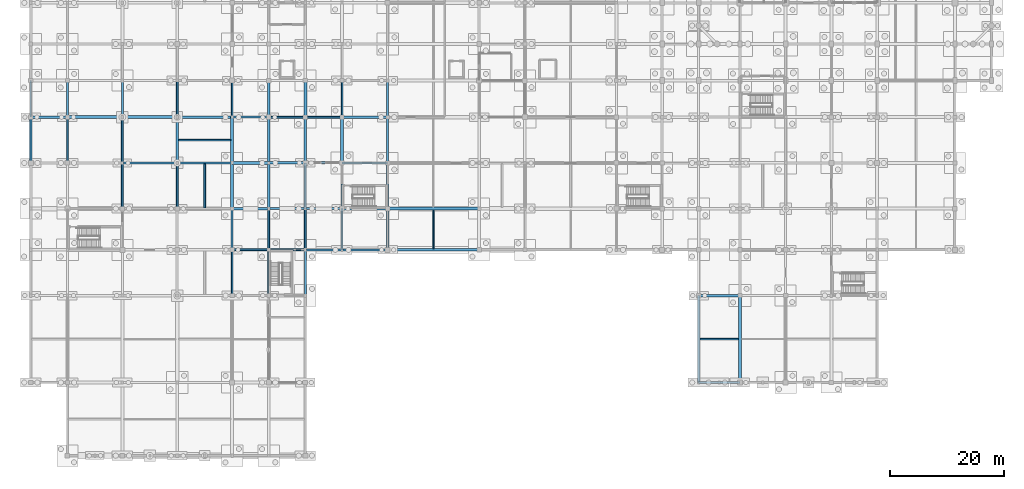
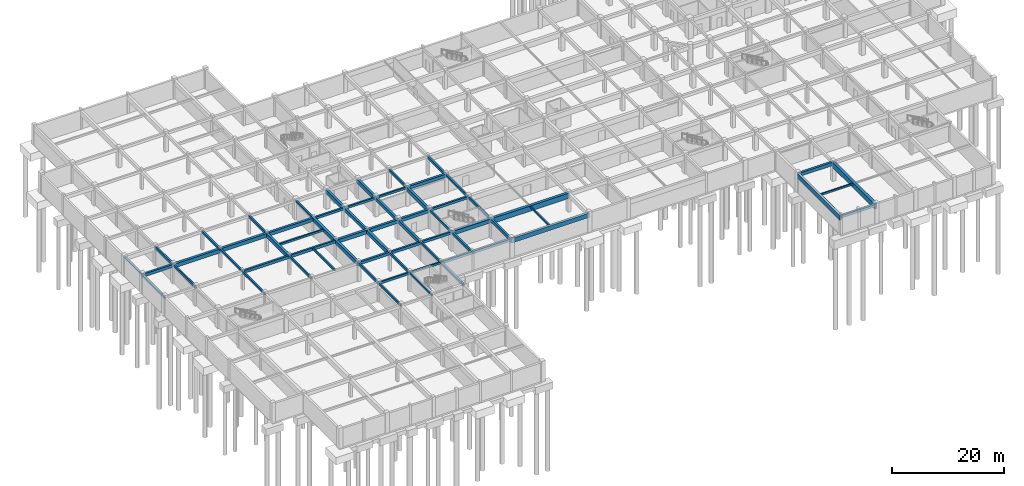
# One storey, part 10 of 28: 65 beams.
"""IFC4 building model written with IfcOpenShell, lengths in metres."""

import ifcopenshell
import ifcopenshell.guid

model = None  # the IFC model being written
_history = None  # IfcOwnerHistory: only IFC2X3 demands one
_inside = {}  # id of a spatial element -> (the spatial element, [elements in it])
_under = {}  # id of a project, library or spatial element -> (it, [spatial elements below it])
_declared = {}  # id of a project -> (the project, [libraries it declares])
_typed = {}  # id of a type object -> (the type object, [elements of that type])
_made_of = {}  # id of a material, layer set ... -> (it, [elements and type objects made of it])


def new_model(schema):
    """Start an empty IFC model of exactly this schema.

    Asked for "IFC4X3", IfcOpenShell would pick the latest addendum, in which some entities
    have other attributes; the version numbers below select the first issue.
    IFC2X3 requires an IfcOwnerHistory on every rooted entity: one is made here for all.
    """
    global model, _history
    if schema == "IFC4X3":
        model = ifcopenshell.file(schema_version=(4, 3, 0, 0))
    else:
        model = ifcopenshell.file(schema=schema)
    _inside.clear()
    _under.clear()
    _declared.clear()
    _typed.clear()
    _made_of.clear()
    _history = None
    if model.schema == "IFC2X3":
        org = make("IfcOrganization", Name="unknown")
        user = make(
            "IfcPersonAndOrganization",
            ThePerson=make("IfcPerson", FamilyName="unknown"),
            TheOrganization=org,
        )
        app = make(
            "IfcApplication",
            ApplicationDeveloper=org,
            Version="unknown",
            ApplicationFullName="unknown",
            ApplicationIdentifier="unknown",
        )
        _history = make(
            "IfcOwnerHistory",
            OwningUser=user,
            OwningApplication=app,
            ChangeAction="ADDED",
            CreationDate=0,
        )
    return model


def make(cls, **values):
    """One entity of the class cls with the attributes given. An attribute that is None is left unset."""
    return model.create_entity(
        cls, **{name: value for name, value in values.items() if value is not None}
    )


def rooted(cls, **values):
    """An entity with a GlobalId (a new one), such as an element, a storey or a relation."""
    return make(cls, GlobalId=ifcopenshell.guid.new(), OwnerHistory=_history, **values)


def si_unit(unit_type, name, prefix=None):
    """IfcSIUnit, for example si_unit("LENGTHUNIT", "METRE", prefix="MILLI")."""
    return make("IfcSIUnit", UnitType=unit_type, Prefix=prefix, Name=name)


def assignment(units):
    """IfcUnitAssignment: the units of a project."""
    return None if units is None else make("IfcUnitAssignment", Units=units)


def point(xyz):
    """IfcCartesianPoint."""
    return None if xyz is None else make("IfcCartesianPoint", Coordinates=xyz)


def direction(xyz):
    """IfcDirection."""
    return None if xyz is None else make("IfcDirection", DirectionRatios=xyz)


def frame(location, z_axis=None, x_axis=None):
    """IfcAxis2Placement3D, a coordinate frame: its origin and axes. An axis left out is left unset."""
    return make(
        "IfcAxis2Placement3D",
        Location=point(location),
        Axis=direction(z_axis),
        RefDirection=direction(x_axis),
    )


def frame_2d(location, x_axis=None):
    """IfcAxis2Placement2D, a coordinate frame in the plane: its origin and x axis."""
    return make(
        "IfcAxis2Placement2D", Location=point(location), RefDirection=direction(x_axis)
    )


def origin():
    """The frame at (0, 0, 0) with its axes left unset."""
    return frame((0.0, 0.0, 0.0))


def origin_2d():
    """The frame at (0, 0) in the plane with its x axis left unset."""
    return frame_2d((0.0, 0.0))


def place(relative_to, where):
    """IfcLocalPlacement: puts the frame where relative to a parent placement (None: the world)."""
    return make(
        "IfcLocalPlacement", PlacementRelTo=relative_to, RelativePlacement=where
    )


def context(
    kind, dimensions, precision=None, world=None, true_north=None, identifier=None
):
    """IfcGeometricRepresentationContext, for example the 3D "Model" context."""
    return make(
        "IfcGeometricRepresentationContext",
        ContextIdentifier=identifier,
        ContextType=kind,
        CoordinateSpaceDimension=dimensions,
        Precision=precision,
        WorldCoordinateSystem=world,
        TrueNorth=true_north,
    )


def subcontext(parent, identifier, kind, view, scale=None):
    """IfcGeometricRepresentationSubContext, for example "Body" below "Model"."""
    return make(
        "IfcGeometricRepresentationSubContext",
        ContextIdentifier=identifier,
        ContextType=kind,
        ParentContext=parent,
        TargetScale=scale,
        TargetView=view,
    )


def project(units=None, contexts=None):
    """IfcProject with its units and contexts."""
    return rooted(
        "IfcProject",
        Name="project",
        RepresentationContexts=contexts,
        UnitsInContext=assignment(units),
    )


def spatial(cls, under=None, at=None, **own):
    """A site, building, storey or space (cls), placed at a placement, below another one or the project."""
    s = rooted(cls, ObjectPlacement=at, **own)
    if under is not None:
        _under.setdefault(under.id(), (under, []))[1].append(s)
    return s


def profile(cls, at=None, kind="AREA", **sizes):
    """A parametric profile (cls). Its sizes go by their IFC names, for example OverallWidth=200.0."""
    return make(cls, ProfileType=kind, Position=at, **sizes)


def rectangle(**sizes):
    """IfcRectangleProfileDef."""
    return profile("IfcRectangleProfileDef", **sizes)


def i_section(**sizes):
    """IfcIShapeProfileDef."""
    return profile("IfcIShapeProfileDef", **sizes)


def extrude(swept, where, along, depth):
    """IfcExtrudedAreaSolid: the profile swept, set in the frame where, extruded along a direction by depth."""
    return make(
        "IfcExtrudedAreaSolid",
        SweptArea=swept,
        Position=where,
        ExtrudedDirection=direction(along),
        Depth=depth,
    )


def shape(context_of_items, identifier, shape_type, items):
    """IfcShapeRepresentation: the items that make up one representation, for example the "Body"."""
    return make(
        "IfcShapeRepresentation",
        ContextOfItems=context_of_items,
        RepresentationIdentifier=identifier,
        RepresentationType=shape_type,
        Items=items,
    )


def material(Name=None, Category=None):
    """IfcMaterial."""
    return make("IfcMaterial", Name=Name, Category=Category)


def material_profile(
    of_material, cross_section, Name=None, Category=None, Priority=None
):
    """IfcMaterialProfile: a cross section and its material."""
    return make(
        "IfcMaterialProfile",
        Name=Name,
        Material=of_material,
        Profile=cross_section,
        Priority=Priority,
        Category=Category,
    )


def profile_set(profiles, Name=None, composite=None):
    """IfcMaterialProfileSet."""
    return make(
        "IfcMaterialProfileSet",
        Name=Name,
        MaterialProfiles=profiles,
        CompositeProfile=composite,
    )


def made_of(thing, what):
    """Note that an element or type object is made of a material, layer set ...; save() writes the relation."""
    if what is not None:
        _made_of.setdefault(what.id(), (what, []))[1].append(thing)
    return thing


def type_object(cls, material=None, **own):
    """A type object (cls), such as IfcWallType, which elements share."""
    return made_of(rooted(cls, **own), material)


def element(
    cls,
    number,
    at=None,
    inside=None,
    cuts=None,
    type_object=None,
    material=None,
    context=None,
    identifier="Body",
    shape_type=None,
    held_by="IfcProductDefinitionShape",
    body=None,
    shapes=None,
    **own,
):
    """One element of the class cls, such as IfcWall. Its Tag is "e" and its number.

    at: its placement. inside: the storey or other place that contains it. cuts: it is an
    opening in that element (IfcRelVoidsElement). A single representation is given by context,
    identifier, shape_type and body (its items); several are given by shapes. held_by: the class
    of the entity that holds the representations. save() writes the other relations.
    """
    e = rooted(cls, Tag="e%d" % number, ObjectPlacement=at, **own)
    if body is not None:
        shapes = [shape(context, identifier, shape_type, body)]
    if shapes is not None:
        e.Representation = make(held_by, Representations=shapes)
    if inside is not None:
        _inside.setdefault(inside.id(), (inside, []))[1].append(e)
    if cuts is not None:
        rooted(
            "IfcRelVoidsElement", RelatingBuildingElement=cuts, RelatedOpeningElement=e
        )
    if type_object is not None:
        _typed.setdefault(type_object.id(), (type_object, []))[1].append(e)
    return made_of(e, material)


def aggregate(whole, parts):
    """IfcRelAggregates: a whole, such as a stair, and the parts it consists of."""
    return rooted("IfcRelAggregates", RelatingObject=whole, RelatedObjects=parts)


def save(model, path):
    """Write the relations noted so far, then the file.

    IfcRelAggregates (storeys below a building ...), IfcRelContainedInSpatialStructure (elements
    in a storey), IfcRelDefinesByType, IfcRelAssociatesMaterial and IfcRelDeclares: one each for
    every whole, place, type object, material and project.
    """
    for whole, parts in _under.values():
        aggregate(whole, parts)
    for where, things in _inside.values():
        rooted(
            "IfcRelContainedInSpatialStructure",
            RelatedElements=things,
            RelatingStructure=where,
        )
    for kind, things in _typed.values():
        rooted("IfcRelDefinesByType", RelatedObjects=things, RelatingType=kind)
    for what, things in _made_of.values():
        rooted("IfcRelAssociatesMaterial", RelatedObjects=things, RelatingMaterial=what)
    for by, libraries in _declared.values():
        rooted("IfcRelDeclares", RelatingContext=by, RelatedDefinitions=libraries)
    model.write(path)


model = new_model("IFC4")

# Units and contexts
model_context = context("Model", 3, precision=1e-05, world=origin(), true_north=direction((0.0, 1.0)))
body_context = subcontext(model_context, "Body", "Model", "MODEL_VIEW")
ifc_project = project(units=[si_unit("LENGTHUNIT", "METRE"), si_unit("AREAUNIT", "SQUARE_METRE"), si_unit("VOLUMEUNIT", "CUBIC_METRE"), si_unit("PLANEANGLEUNIT", "RADIAN"), si_unit("MASSUNIT", "GRAM", prefix="KILO")], contexts=[model_context])

# Site, building, storey
site_placement = place(None, origin())
site = spatial("IfcSite", under=ifc_project, at=site_placement, CompositionType="ELEMENT")
building_placement = place(site_placement, origin())
building = spatial("IfcBuilding", under=site, at=building_placement, Name="Vellmiral Cinema and Media Centre", CompositionType="ELEMENT")
storey_placement = place(building_placement, frame((0.0, 0.0, -4.5)))
storey = spatial("IfcBuildingStorey", under=building, at=storey_placement, Name="B1", CompositionType="ELEMENT", Elevation=-4.5)

# Beams
ifc_material_1 = material(Name="Concrete C40/50", Category="concrete")
ifc_material_profile_1 = material_profile(ifc_material_1, rectangle(XDim=0.300048828125, YDim=0.449951171875, at=origin_2d()), Name="RC 300x450")
ifc_profile_set_1 = profile_set([ifc_material_profile_1], Name="Concrete C40/50")
beam_type_1 = type_object("IfcBeamType", Name="BM-RC-300x450", PredefinedType="BEAM", material=ifc_profile_set_1)
for number, where, z_axis, x_axis, name in (
    (1, (41.60009765625, 36.0, 3.85009765625), (1.0, 0.0, 0.0), (0.0, 1.0, 0.0), "Grid Beam B1-X031"),
    (2, (48.0, 59.199951171875, 3.85009765625), (1.0, 0.0, 0.0), (0.0, 1.0, 0.0), "Grid Beam B1-X086"),
):
    element("IfcBeam", number, at=place(storey_placement, frame(where, z_axis=z_axis, x_axis=x_axis)), inside=storey, type_object=beam_type_1, Name=name, PredefinedType="BEAM", context=body_context, shape_type="SweptSolid", body=[
        extrude(rectangle(XDim=0.300048828125, YDim=0.449951171875, at=origin_2d()), origin(), (0.0, 0.0, 1.0), 6.39990234375),
    ])
for number, where, z_axis, x_axis, name in (
    (3, (16.0, 51.199951171875, 3.85009765625), (0.0, 1.0, 0.0), (-1.0, 0.0, 0.0), "Grid Beam B1-Y237"),
    (4, (25.60009765625, 43.199951171875, 3.85009765625), (0.0, 1.0, 0.0), (-1.0, 0.0, 0.0), "Grid Beam B1-Y248"),
):
    element("IfcBeam", number, at=place(storey_placement, frame(where, z_axis=z_axis, x_axis=x_axis)), inside=storey, type_object=beam_type_1, Name=name, PredefinedType="BEAM", context=body_context, shape_type="SweptSolid", body=[
        extrude(rectangle(XDim=0.300048828125, YDim=0.449951171875, at=origin_2d()), origin(), (0.0, 0.0, 1.0), 8.0),
    ])
beam_1_placement = place(storey_placement, frame((35.199951171875, 59.199951171875, 3.85009765625), z_axis=(0.0, 1.0, 0.0), x_axis=(-1.0, 0.0, 0.0)))
element("IfcBeam", 5, at=beam_1_placement, inside=storey, type_object=beam_type_1, Name="Grid Beam B1-Y262", PredefinedType="BEAM", context=body_context, shape_type="SweptSolid", body=[
    extrude(rectangle(XDim=0.300048828125, YDim=0.449951171875, at=origin_2d()), origin(), (0.0, 0.0, 1.0), 6.400146484375),
])
beam_2_placement = place(storey_placement, frame((41.60009765625, 28.0, 3.85009765625), z_axis=(0.0, 1.0, 0.0), x_axis=(-1.0, 0.0, 0.0)))
element("IfcBeam", 6, at=beam_2_placement, inside=storey, type_object=beam_type_1, Name="Grid Beam B1-Y270", PredefinedType="BEAM", context=body_context, shape_type="SweptSolid", body=[
    extrude(rectangle(XDim=0.300048828125, YDim=0.449951171875, at=origin_2d()), origin(), (0.0, 0.0, 1.0), 8.0),
])
beam_3_placement = place(storey_placement, frame((48.0, 36.0, 3.85009765625), z_axis=(0.0, 1.0, 0.0), x_axis=(-1.0, 0.0, 0.0)))
element("IfcBeam", 7, at=beam_3_placement, inside=storey, type_object=beam_type_1, Name="Grid Beam B1-Y283", PredefinedType="BEAM", context=body_context, shape_type="SweptSolid", body=[
    extrude(rectangle(XDim=0.300048828125, YDim=0.449951171875, at=origin_2d()), origin(), (0.0, 0.0, 1.0), 7.199951171875),
])
beam_4_placement = place(storey_placement, frame((54.39990234375, 43.199951171875, 3.85009765625), z_axis=(0.0, 1.0, 0.0), x_axis=(-1.0, 0.0, 0.0)))
element("IfcBeam", 8, at=beam_4_placement, inside=storey, type_object=beam_type_1, Name="Grid Beam B1-Y292", PredefinedType="BEAM", context=body_context, shape_type="SweptSolid", body=[
    extrude(rectangle(XDim=0.300048828125, YDim=0.449951171875, at=origin_2d()), origin(), (0.0, 0.0, 1.0), 8.0),
])
ifc_material_2 = material(Name="Concrete C40/50", Category="concrete")
ifc_material_profile_2 = material_profile(ifc_material_2, rectangle(XDim=0.300048828125, YDim=0.5, at=origin_2d()), Name="RC 300x500")
ifc_profile_set_2 = profile_set([ifc_material_profile_2], Name="Concrete C40/50")
beam_type_2 = type_object("IfcBeamType", Name="BM-RC-300x500", PredefinedType="BEAM", material=ifc_profile_set_2)
beam_5_placement = place(storey_placement, frame((35.199951171875, 36.0, 3.824951171875), z_axis=(1.0, 0.0, 0.0), x_axis=(0.0, 1.0, 0.0)))
element("IfcBeam", 9, at=beam_5_placement, inside=storey, type_object=beam_type_2, Name="Grid Beam B1-X030", PredefinedType="BEAM", context=body_context, shape_type="SweptSolid", body=[
    extrude(rectangle(XDim=0.300048828125, YDim=0.5, at=origin_2d()), origin(), (0.0, 0.0, 1.0), 6.400146484375),
])
beam_6_placement = place(storey_placement, frame((41.60009765625, 59.199951171875, 3.824951171875), z_axis=(1.0, 0.0, 0.0), x_axis=(0.0, 1.0, 0.0)))
element("IfcBeam", 10, at=beam_6_placement, inside=storey, type_object=beam_type_2, Name="Grid Beam B1-X085", PredefinedType="BEAM", context=body_context, shape_type="SweptSolid", body=[
    extrude(rectangle(XDim=0.300048828125, YDim=0.5, at=origin_2d()), origin(), (0.0, 0.0, 1.0), 6.39990234375),
])
for number, where, z_axis, x_axis, name in (
    (11, (6.39990234375, 51.199951171875, 3.824951171875), (0.0, 1.0, 0.0), (-1.0, 0.0, 0.0), "Grid Beam B1-Y225"),
    (12, (16.0, 43.199951171875, 3.824951171875), (0.0, 1.0, 0.0), (-1.0, 0.0, 0.0), "Grid Beam B1-Y236"),
):
    element("IfcBeam", number, at=place(storey_placement, frame(where, z_axis=z_axis, x_axis=x_axis)), inside=storey, type_object=beam_type_2, Name=name, PredefinedType="BEAM", context=body_context, shape_type="SweptSolid", body=[
        extrude(rectangle(XDim=0.300048828125, YDim=0.5, at=origin_2d()), origin(), (0.0, 0.0, 1.0), 8.0),
    ])
beam_7_placement = place(storey_placement, frame((25.60009765625, 59.199951171875, 3.824951171875), z_axis=(0.0, 1.0, 0.0), x_axis=(-1.0, 0.0, 0.0)))
element("IfcBeam", 13, at=beam_7_placement, inside=storey, type_object=beam_type_2, Name="Grid Beam B1-Y250", PredefinedType="BEAM", context=body_context, shape_type="SweptSolid", body=[
    extrude(rectangle(XDim=0.300048828125, YDim=0.5, at=origin_2d()), origin(), (0.0, 0.0, 1.0), 6.400146484375),
])
beam_8_placement = place(storey_placement, frame((35.199951171875, 28.0, 3.824951171875), z_axis=(0.0, 1.0, 0.0), x_axis=(-1.0, 0.0, 0.0)))
element("IfcBeam", 14, at=beam_8_placement, inside=storey, type_object=beam_type_2, Name="Grid Beam B1-Y258", PredefinedType="BEAM", context=body_context, shape_type="SweptSolid", body=[
    extrude(rectangle(XDim=0.300048828125, YDim=0.5, at=origin_2d()), origin(), (0.0, 0.0, 1.0), 8.0),
])
beam_9_placement = place(storey_placement, frame((41.60009765625, 36.0, 3.824951171875), z_axis=(0.0, 1.0, 0.0), x_axis=(-1.0, 0.0, 0.0)))
element("IfcBeam", 15, at=beam_9_placement, inside=storey, type_object=beam_type_2, Name="Grid Beam B1-Y271", PredefinedType="BEAM", context=body_context, shape_type="SweptSolid", body=[
    extrude(rectangle(XDim=0.300048828125, YDim=0.5, at=origin_2d()), origin(), (0.0, 0.0, 1.0), 7.199951171875),
])
beam_10_placement = place(storey_placement, frame((54.39990234375, 59.199951171875, 3.824951171875), z_axis=(0.0, 1.0, 0.0), x_axis=(-1.0, 0.0, 0.0)))
element("IfcBeam", 16, at=beam_10_placement, inside=storey, type_object=beam_type_2, Name="Grid Beam B1-Y294", PredefinedType="BEAM", context=body_context, shape_type="SweptSolid", body=[
    extrude(rectangle(XDim=0.300048828125, YDim=0.5, at=origin_2d()), origin(), (0.0, 0.0, 1.0), 6.400146484375),
])
ifc_material_3 = material(Name="Concrete C40/50", Category="concrete")
ifc_material_profile_3 = material_profile(ifc_material_3, rectangle(XDim=0.35009765625, YDim=0.5, at=origin_2d()), Name="RC 350x500")
ifc_profile_set_3 = profile_set([ifc_material_profile_3], Name="Concrete C40/50")
beam_type_3 = type_object("IfcBeamType", Name="BM-RC-350x500", PredefinedType="BEAM", material=ifc_profile_set_3)
for number, where, z_axis, x_axis, name in (
    (17, (35.199951171875, 59.199951171875, 3.824951171875), (1.0, 0.0, 0.0), (0.0, 1.0, 0.0), "Grid Beam B1-X084"),
    (18, (16.0, 59.199951171875, 3.824951171875), (0.0, 1.0, 0.0), (-1.0, 0.0, 0.0), "Grid Beam B1-Y238"),
):
    element("IfcBeam", number, at=place(storey_placement, frame(where, z_axis=z_axis, x_axis=x_axis)), inside=storey, type_object=beam_type_3, Name=name, PredefinedType="BEAM", context=body_context, shape_type="SweptSolid", body=[
        extrude(rectangle(XDim=0.35009765625, YDim=0.5, at=origin_2d()), origin(), (0.0, 0.0, 1.0), 6.400146484375),
    ])
beam_11_placement = place(storey_placement, frame((35.199951171875, 36.0, 3.824951171875), z_axis=(0.0, 1.0, 0.0), x_axis=(-1.0, 0.0, 0.0)))
element("IfcBeam", 19, at=beam_11_placement, inside=storey, type_object=beam_type_3, Name="Grid Beam B1-Y259", PredefinedType="BEAM", context=body_context, shape_type="SweptSolid", body=[
    extrude(rectangle(XDim=0.35009765625, YDim=0.5, at=origin_2d()), origin(), (0.0, 0.0, 1.0), 7.199951171875),
])
beam_12_placement = place(storey_placement, frame((62.39990234375, 51.199951171875, 3.824951171875), z_axis=(0.0, 1.0, 0.0), x_axis=(-1.0, 0.0, 0.0)))
element("IfcBeam", 20, at=beam_12_placement, inside=storey, type_object=beam_type_3, Name="Grid Beam B1-Y301", PredefinedType="BEAM", context=body_context, shape_type="SweptSolid", body=[
    extrude(rectangle(XDim=0.35009765625, YDim=0.5, at=origin_2d()), origin(), (0.0, 0.0, 1.0), 8.0),
])
ifc_material_4 = material(Name="Concrete C40/50", Category="concrete")
ifc_material_profile_4 = material_profile(ifc_material_4, rectangle(XDim=0.35009765625, YDim=0.550048828125, at=origin_2d()), Name="RC 350x550")
ifc_profile_set_4 = profile_set([ifc_material_profile_4], Name="Concrete C40/50")
beam_type_4 = type_object("IfcBeamType", Name="BM-RC-350x550", PredefinedType="BEAM", material=ifc_profile_set_4)
beam_13_placement = place(storey_placement, frame((48.0, 43.199951171875, 3.800048828125), z_axis=(1.0, 0.0, 0.0), x_axis=(0.0, 1.0, 0.0)))
element("IfcBeam", 21, at=beam_13_placement, inside=storey, type_object=beam_type_4, Name="Grid Beam B1-X050", PredefinedType="BEAM", context=body_context, shape_type="SweptSolid", body=[
    extrude(rectangle(XDim=0.35009765625, YDim=0.550048828125, at=origin_2d()), origin(), (0.0, 0.0, 1.0), 6.39990234375),
])
beam_14_placement = place(storey_placement, frame((54.39990234375, 51.199951171875, 3.800048828125), z_axis=(1.0, 0.0, 0.0), x_axis=(0.0, 1.0, 0.0)))
element("IfcBeam", 22, at=beam_14_placement, inside=storey, type_object=beam_type_4, Name="Grid Beam B1-X069", PredefinedType="BEAM", context=body_context, shape_type="SweptSolid", body=[
    extrude(rectangle(XDim=0.35009765625, YDim=0.550048828125, at=origin_2d()), origin(), (0.0, 0.0, 1.0), 8.0),
])
beam_15_placement = place(storey_placement, frame((6.39990234375, 59.199951171875, 3.800048828125), z_axis=(0.0, 1.0, 0.0), x_axis=(-1.0, 0.0, 0.0)))
element("IfcBeam", 23, at=beam_15_placement, inside=storey, type_object=beam_type_4, Name="Grid Beam B1-Y226", PredefinedType="BEAM", context=body_context, shape_type="SweptSolid", body=[
    extrude(rectangle(XDim=0.35009765625, YDim=0.550048828125, at=origin_2d()), origin(), (0.0, 0.0, 1.0), 6.400146484375),
])
beam_16_placement = place(storey_placement, frame((54.39990234375, 36.0, 3.800048828125), z_axis=(0.0, 1.0, 0.0), x_axis=(-1.0, 0.0, 0.0)))
element("IfcBeam", 24, at=beam_16_placement, inside=storey, type_object=beam_type_4, Name="Grid Beam B1-Y291", PredefinedType="BEAM", context=body_context, shape_type="SweptSolid", body=[
    extrude(rectangle(XDim=0.35009765625, YDim=0.550048828125, at=origin_2d()), origin(), (0.0, 0.0, 1.0), 7.199951171875),
])
beam_17_placement = place(storey_placement, frame((62.39990234375, 43.199951171875, 3.800048828125), z_axis=(0.0, 1.0, 0.0), x_axis=(-1.0, 0.0, 0.0)))
element("IfcBeam", 25, at=beam_17_placement, inside=storey, type_object=beam_type_4, Name="Grid Beam B1-Y300", PredefinedType="BEAM", context=body_context, shape_type="SweptSolid", body=[
    extrude(rectangle(XDim=0.35009765625, YDim=0.550048828125, at=origin_2d()), origin(), (0.0, 0.0, 1.0), 8.0),
])
ifc_material_5 = material(Name="Concrete C40/50", Category="concrete")
ifc_material_profile_5 = material_profile(ifc_material_5, rectangle(XDim=0.35009765625, YDim=0.60009765625, at=origin_2d()), Name="RC 350x600")
ifc_profile_set_5 = profile_set([ifc_material_profile_5], Name="Concrete C40/50")
beam_type_5 = type_object("IfcBeamType", Name="BM-RC-350x600", PredefinedType="BEAM", material=ifc_profile_set_5)
beam_18_placement = place(storey_placement, frame((41.60009765625, 43.199951171875, 3.77490234375), z_axis=(1.0, 0.0, 0.0), x_axis=(0.0, 1.0, 0.0)))
element("IfcBeam", 26, at=beam_18_placement, inside=storey, type_object=beam_type_5, Name="Grid Beam B1-X049", PredefinedType="BEAM", context=body_context, shape_type="SweptSolid", body=[
    extrude(rectangle(XDim=0.35009765625, YDim=0.60009765625, at=origin_2d()), origin(), (0.0, 0.0, 1.0), 6.39990234375),
])
beam_19_placement = place(storey_placement, frame((25.60009765625, 51.199951171875, 3.77490234375), z_axis=(1.0, 0.0, 0.0), x_axis=(0.0, 1.0, 0.0)))
element("IfcBeam", 27, at=beam_19_placement, inside=storey, type_object=beam_type_5, Name="Grid Beam B1-X065", PredefinedType="BEAM", context=body_context, shape_type="SweptSolid", body=[
    extrude(rectangle(XDim=0.35009765625, YDim=0.60009765625, at=origin_2d()), origin(), (0.0, 0.0, 1.0), 9.599853515625),
])
beam_20_placement = place(storey_placement, frame((62.39990234375, 59.199951171875, 3.77490234375), z_axis=(0.0, 1.0, 0.0), x_axis=(-1.0, 0.0, 0.0)))
element("IfcBeam", 28, at=beam_20_placement, inside=storey, type_object=beam_type_5, Name="Grid Beam B1-Y302", PredefinedType="BEAM", context=body_context, shape_type="SweptSolid", body=[
    extrude(rectangle(XDim=0.35009765625, YDim=0.60009765625, at=origin_2d()), origin(), (0.0, 0.0, 1.0), 6.400146484375),
])
ifc_material_6 = material(Name="Concrete C40/50", Category="concrete")
ifc_material_profile_6 = material_profile(ifc_material_6, rectangle(XDim=0.39990234375, YDim=0.60009765625, at=origin_2d()), Name="RC 400x600")
ifc_profile_set_6 = profile_set([ifc_material_profile_6], Name="Concrete C40/50")
beam_type_6 = type_object("IfcBeamType", Name="BM-RC-400x600", PredefinedType="BEAM", material=ifc_profile_set_6)
beam_21_placement = place(storey_placement, frame((35.199951171875, 43.199951171875, 3.77490234375), z_axis=(1.0, 0.0, 0.0), x_axis=(0.0, 1.0, 0.0)))
element("IfcBeam", 29, at=beam_21_placement, inside=storey, type_object=beam_type_6, Name="Grid Beam B1-X048", PredefinedType="BEAM", context=body_context, shape_type="SweptSolid", body=[
    extrude(rectangle(XDim=0.39990234375, YDim=0.60009765625, at=origin_2d()), origin(), (0.0, 0.0, 1.0), 6.400146484375),
])
beam_22_placement = place(storey_placement, frame((16.0, 51.199951171875, 3.77490234375), z_axis=(1.0, 0.0, 0.0), x_axis=(0.0, 1.0, 0.0)))
element("IfcBeam", 30, at=beam_22_placement, inside=storey, type_object=beam_type_6, Name="Grid Beam B1-X064", PredefinedType="BEAM", context=body_context, shape_type="SweptSolid", body=[
    extrude(rectangle(XDim=0.39990234375, YDim=0.60009765625, at=origin_2d()), origin(), (0.0, 0.0, 1.0), 9.60009765625),
])
ifc_material_7 = material(Name="Concrete C40/50", Category="concrete")
ifc_material_profile_7 = material_profile(ifc_material_7, rectangle(XDim=0.39990234375, YDim=0.64990234375, at=origin_2d()), Name="RC 400x650")
ifc_profile_set_7 = profile_set([ifc_material_profile_7], Name="Concrete C40/50")
beam_type_7 = type_object("IfcBeamType", Name="BM-RC-400x650", PredefinedType="BEAM", material=ifc_profile_set_7)
beam_23_placement = place(storey_placement, frame((0.0, 59.199951171875, 3.75), z_axis=(1.0, 0.0, 0.0), x_axis=(0.0, 1.0, 0.0)))
element("IfcBeam", 31, at=beam_23_placement, inside=storey, type_object=beam_type_7, Name="Grid Beam B1-X080", PredefinedType="BEAM", context=body_context, shape_type="SweptSolid", body=[
    extrude(rectangle(XDim=0.39990234375, YDim=0.64990234375, at=origin_2d()), origin(), (0.0, 0.0, 1.0), 6.39990234375),
])
beam_24_placement = place(storey_placement, frame((62.39990234375, 36.0, 3.75), z_axis=(0.0, 1.0, 0.0), x_axis=(-1.0, 0.0, 0.0)))
element("IfcBeam", 32, at=beam_24_placement, inside=storey, type_object=beam_type_7, Name="Grid Beam B1-Y299", PredefinedType="BEAM", context=body_context, shape_type="SweptSolid", body=[
    extrude(rectangle(XDim=0.39990234375, YDim=0.64990234375, at=origin_2d()), origin(), (0.0, 0.0, 1.0), 7.199951171875),
])
ifc_material_8 = material(Name="Concrete C40/50", Category="concrete")
ifc_material_profile_8 = material_profile(ifc_material_8, rectangle(XDim=0.449951171875, YDim=0.699951171875, at=origin_2d()), Name="RC 450x700")
ifc_profile_set_8 = profile_set([ifc_material_profile_8], Name="Concrete C40/50")
beam_type_8 = type_object("IfcBeamType", Name="BM-RC-450x700", PredefinedType="BEAM", material=ifc_profile_set_8)
beam_25_placement = place(storey_placement, frame((48.0, 51.199951171875, 3.72509765625), z_axis=(1.0, 0.0, 0.0), x_axis=(0.0, 1.0, 0.0)))
element("IfcBeam", 33, at=beam_25_placement, inside=storey, type_object=beam_type_8, Name="Grid Beam B1-X068", PredefinedType="BEAM", context=body_context, shape_type="SweptSolid", body=[
    extrude(rectangle(XDim=0.449951171875, YDim=0.699951171875, at=origin_2d()), origin(), (0.0, 0.0, 1.0), 6.39990234375),
])
for number, where, z_axis, x_axis, name in (
    (34, (54.39990234375, 59.199951171875, 3.72509765625), (1.0, 0.0, 0.0), (0.0, 1.0, 0.0), "Grid Beam B1-X087"),
    (35, (48.0, 51.199951171875, 3.72509765625), (0.0, 1.0, 0.0), (-1.0, 0.0, 0.0), "Grid Beam B1-Y285"),
):
    element("IfcBeam", number, at=place(storey_placement, frame(where, z_axis=z_axis, x_axis=x_axis)), inside=storey, type_object=beam_type_8, Name=name, PredefinedType="BEAM", context=body_context, shape_type="SweptSolid", body=[
        extrude(rectangle(XDim=0.449951171875, YDim=0.699951171875, at=origin_2d()), origin(), (0.0, 0.0, 1.0), 8.0),
    ])
ifc_material_9 = material(Name="Concrete C40/50", Category="concrete")
ifc_material_profile_9 = material_profile(ifc_material_9, rectangle(XDim=0.449951171875, YDim=0.75, at=origin_2d()), Name="RC 450x750")
ifc_profile_set_9 = profile_set([ifc_material_profile_9], Name="Concrete C40/50")
beam_type_9 = type_object("IfcBeamType", Name="BM-RC-450x750", PredefinedType="BEAM", material=ifc_profile_set_9)
beam_26_placement = place(storey_placement, frame((116.800048828125, 28.0, 3.699951171875), z_axis=(1.0, 0.0, 0.0), x_axis=(0.0, 1.0, 0.0)))
element("IfcBeam", 36, at=beam_26_placement, inside=storey, type_object=beam_type_9, Name="Grid Beam B1-X022", PredefinedType="BEAM", context=body_context, shape_type="SweptSolid", body=[
    extrude(rectangle(XDim=0.449951171875, YDim=0.75, at=origin_2d()), origin(), (0.0, 0.0, 1.0), 7.199951171875),
])
beam_27_placement = place(storey_placement, frame((41.60009765625, 51.199951171875, 3.699951171875), z_axis=(1.0, 0.0, 0.0), x_axis=(0.0, 1.0, 0.0)))
element("IfcBeam", 37, at=beam_27_placement, inside=storey, type_object=beam_type_9, Name="Grid Beam B1-X067", PredefinedType="BEAM", context=body_context, shape_type="SweptSolid", body=[
    extrude(rectangle(XDim=0.449951171875, YDim=0.75, at=origin_2d()), origin(), (0.0, 0.0, 1.0), 6.39990234375),
])
beam_28_placement = place(storey_placement, frame((25.60009765625, 59.199951171875, 3.699951171875), z_axis=(1.0, 0.0, 0.0), x_axis=(0.0, 1.0, 0.0)))
element("IfcBeam", 38, at=beam_28_placement, inside=storey, type_object=beam_type_9, Name="Grid Beam B1-X083", PredefinedType="BEAM", context=body_context, shape_type="SweptSolid", body=[
    extrude(rectangle(XDim=0.449951171875, YDim=0.75, at=origin_2d()), origin(), (0.0, 0.0, 1.0), 9.599853515625),
])
for number, where, z_axis, x_axis, name in (
    (39, (41.60009765625, 51.199951171875, 3.699951171875), (0.0, 1.0, 0.0), (-1.0, 0.0, 0.0), "Grid Beam B1-Y273"),
    (40, (48.0, 43.199951171875, 3.699951171875), (0.0, 1.0, 0.0), (-1.0, 0.0, 0.0), "Grid Beam B1-Y284"),
):
    element("IfcBeam", number, at=place(storey_placement, frame(where, z_axis=z_axis, x_axis=x_axis)), inside=storey, type_object=beam_type_9, Name=name, PredefinedType="BEAM", context=body_context, shape_type="SweptSolid", body=[
        extrude(rectangle(XDim=0.449951171875, YDim=0.75, at=origin_2d()), origin(), (0.0, 0.0, 1.0), 8.0),
    ])
ifc_material_10 = material(Name="Concrete C40/50", Category="concrete")
ifc_material_profile_10 = material_profile(ifc_material_10, rectangle(XDim=0.5, YDim=0.800048828125, at=origin_2d()), Name="RC 500x800")
ifc_profile_set_10 = profile_set([ifc_material_profile_10], Name="Concrete C40/50")
beam_type_10 = type_object("IfcBeamType", Name="BM-RC-500x800", PredefinedType="BEAM", material=ifc_profile_set_10)
beam_29_placement = place(storey_placement, frame((35.199951171875, 51.199951171875, 3.675048828125), z_axis=(1.0, 0.0, 0.0), x_axis=(0.0, 1.0, 0.0)))
element("IfcBeam", 41, at=beam_29_placement, inside=storey, type_object=beam_type_10, Name="Grid Beam B1-X066", PredefinedType="BEAM", context=body_context, shape_type="SweptSolid", body=[
    extrude(rectangle(XDim=0.5, YDim=0.800048828125, at=origin_2d()), origin(), (0.0, 0.0, 1.0), 6.400146484375),
])
beam_30_placement = place(storey_placement, frame((16.0, 59.199951171875, 3.675048828125), z_axis=(1.0, 0.0, 0.0), x_axis=(0.0, 1.0, 0.0)))
element("IfcBeam", 42, at=beam_30_placement, inside=storey, type_object=beam_type_10, Name="Grid Beam B1-X082", PredefinedType="BEAM", context=body_context, shape_type="SweptSolid", body=[
    extrude(rectangle(XDim=0.5, YDim=0.800048828125, at=origin_2d()), origin(), (0.0, 0.0, 1.0), 9.60009765625),
])
for number, where, z_axis, x_axis, name in (
    (43, (35.199951171875, 51.199951171875, 3.675048828125), (0.0, 1.0, 0.0), (-1.0, 0.0, 0.0), "Grid Beam B1-Y261"),
    (44, (41.60009765625, 43.199951171875, 3.675048828125), (0.0, 1.0, 0.0), (-1.0, 0.0, 0.0), "Grid Beam B1-Y272"),
):
    element("IfcBeam", number, at=place(storey_placement, frame(where, z_axis=z_axis, x_axis=x_axis)), inside=storey, type_object=beam_type_10, Name=name, PredefinedType="BEAM", context=body_context, shape_type="SweptSolid", body=[
        extrude(rectangle(XDim=0.5, YDim=0.800048828125, at=origin_2d()), origin(), (0.0, 0.0, 1.0), 8.0),
    ])
beam_31_placement = place(storey_placement, frame((48.0, 59.199951171875, 3.675048828125), z_axis=(0.0, 1.0, 0.0), x_axis=(-1.0, 0.0, 0.0)))
element("IfcBeam", 45, at=beam_31_placement, inside=storey, type_object=beam_type_10, Name="Grid Beam B1-Y286", PredefinedType="BEAM", context=body_context, shape_type="SweptSolid", body=[
    extrude(rectangle(XDim=0.5, YDim=0.800048828125, at=origin_2d()), origin(), (0.0, 0.0, 1.0), 6.400146484375),
])
ifc_material_11 = material(Name="Concrete C40/50", Category="concrete")
ifc_material_profile_11 = material_profile(ifc_material_11, rectangle(XDim=0.5, YDim=0.85009765625, at=origin_2d()), Name="RC 500x850")
ifc_profile_set_11 = profile_set([ifc_material_profile_11], Name="Concrete C40/50")
beam_type_11 = type_object("IfcBeamType", Name="BM-RC-500x850", PredefinedType="BEAM", material=ifc_profile_set_11)
beam_32_placement = place(storey_placement, frame((54.39990234375, 43.199951171875, 3.64990234375), z_axis=(1.0, 0.0, 0.0), x_axis=(0.0, 1.0, 0.0)))
element("IfcBeam", 46, at=beam_32_placement, inside=storey, type_object=beam_type_11, Name="Grid Beam B1-X051", PredefinedType="BEAM", context=body_context, shape_type="SweptSolid", body=[
    extrude(rectangle(XDim=0.5, YDim=0.85009765625, at=origin_2d()), origin(), (0.0, 0.0, 1.0), 8.0),
])
beam_33_placement = place(storey_placement, frame((6.39990234375, 59.199951171875, 3.64990234375), z_axis=(1.0, 0.0, 0.0), x_axis=(0.0, 1.0, 0.0)))
element("IfcBeam", 47, at=beam_33_placement, inside=storey, type_object=beam_type_11, Name="Grid Beam B1-X081", PredefinedType="BEAM", context=body_context, shape_type="SweptSolid", body=[
    extrude(rectangle(XDim=0.5, YDim=0.85009765625, at=origin_2d()), origin(), (0.0, 0.0, 1.0), 9.60009765625),
])
for number, where, z_axis, x_axis, name in (
    (48, (25.60009765625, 51.199951171875, 3.64990234375), (0.0, 1.0, 0.0), (-1.0, 0.0, 0.0), "Grid Beam B1-Y249"),
    (49, (35.199951171875, 43.199951171875, 3.64990234375), (0.0, 1.0, 0.0), (-1.0, 0.0, 0.0), "Grid Beam B1-Y260"),
):
    element("IfcBeam", number, at=place(storey_placement, frame(where, z_axis=z_axis, x_axis=x_axis)), inside=storey, type_object=beam_type_11, Name=name, PredefinedType="BEAM", context=body_context, shape_type="SweptSolid", body=[
        extrude(rectangle(XDim=0.5, YDim=0.85009765625, at=origin_2d()), origin(), (0.0, 0.0, 1.0), 8.0),
    ])
beam_34_placement = place(storey_placement, frame((41.60009765625, 59.199951171875, 3.64990234375), z_axis=(0.0, 1.0, 0.0), x_axis=(-1.0, 0.0, 0.0)))
element("IfcBeam", 50, at=beam_34_placement, inside=storey, type_object=beam_type_11, Name="Grid Beam B1-Y274", PredefinedType="BEAM", context=body_context, shape_type="SweptSolid", body=[
    extrude(rectangle(XDim=0.5, YDim=0.85009765625, at=origin_2d()), origin(), (0.0, 0.0, 1.0), 6.400146484375),
])
beam_35_placement = place(storey_placement, frame((54.39990234375, 51.199951171875, 3.64990234375), z_axis=(0.0, 1.0, 0.0), x_axis=(-1.0, 0.0, 0.0)))
element("IfcBeam", 51, at=beam_35_placement, inside=storey, type_object=beam_type_11, Name="Grid Beam B1-Y293", PredefinedType="BEAM", context=body_context, shape_type="SweptSolid", body=[
    extrude(rectangle(XDim=0.5, YDim=0.85009765625, at=origin_2d()), origin(), (0.0, 0.0, 1.0), 8.0),
])
ifc_material_12 = material(Name="Concrete C40/50", Category="concrete")
ifc_material_profile_12 = material_profile(ifc_material_12, rectangle(XDim=0.550048828125, YDim=1.14990234375, at=origin_2d()), Name="RC 550x1150")
ifc_profile_set_12 = profile_set([ifc_material_profile_12], Name="Concrete C40/50")
beam_type_12 = type_object("IfcBeamType", Name="BM-RCG-550x1150", PredefinedType="BEAM", material=ifc_profile_set_12)
beam_36_placement = place(storey_placement, frame((62.39990234375, 43.199951171875, 3.5), z_axis=(1.0, 0.0, 0.0), x_axis=(0.0, 1.0, 0.0)))
element("IfcBeam", 52, at=beam_36_placement, inside=storey, type_object=beam_type_12, Name="Grid Beam B1-X052", PredefinedType="BEAM", context=body_context, shape_type="SweptSolid", body=[
    extrude(rectangle(XDim=0.550048828125, YDim=1.14990234375, at=origin_2d()), origin(), (0.0, 0.0, 1.0), 16.0),
])
beam_37_placement = place(storey_placement, frame((124.0, 12.800048828125, 3.5), z_axis=(0.0, 1.0, 0.0), x_axis=(-1.0, 0.0, 0.0)))
element("IfcBeam", 53, at=beam_37_placement, inside=storey, type_object=beam_type_12, Name="Grid Beam B1-Y353", PredefinedType="BEAM", context=body_context, shape_type="SweptSolid", body=[
    extrude(rectangle(XDim=0.550048828125, YDim=1.14990234375, at=origin_2d()), origin(), (0.0, 0.0, 1.0), 15.199951171875),
])
ifc_material_13 = material(Name="Concrete C40/50", Category="concrete")
ifc_material_profile_13 = material_profile(ifc_material_13, rectangle(XDim=0.25, YDim=0.35009765625, at=origin_2d()), Name="RC 250x350")
ifc_profile_set_13 = profile_set([ifc_material_profile_13], Name="Concrete C40/50")
beam_type_13 = type_object("IfcBeamType", Name="JST-RC-250x350", PredefinedType="JOIST", material=ifc_profile_set_13)
beam_38_placement = place(storey_placement, frame((70.39990234375, 36.2099609375, 3.89990234375), z_axis=(0.0, 1.0, 0.0), x_axis=(-1.0, 0.0, 0.0)))
element("IfcBeam", 54, at=beam_38_placement, inside=storey, type_object=beam_type_13, Name="Secondary Floor Joist B1-016", PredefinedType="JOIST", context=body_context, shape_type="SweptSolid", body=[
    extrude(rectangle(XDim=0.25, YDim=0.35009765625, at=origin_2d()), origin(), (0.0, 0.0, 1.0), 6.715087890625),
])
ifc_material_14 = material(Name="Concrete C40/50", Category="concrete")
ifc_material_profile_14 = material_profile(ifc_material_14, rectangle(XDim=0.260009765625, YDim=0.3798828125, at=origin_2d()), Name="RC 260x380")
ifc_profile_set_14 = profile_set([ifc_material_profile_14], Name="Concrete C40/50")
beam_type_14 = type_object("IfcBeamType", Name="JST-RC-260x380", PredefinedType="JOIST", material=ifc_profile_set_14)
beam_39_placement = place(storey_placement, frame((117.02490234375, 20.39990234375, 3.885009765625), z_axis=(1.0, 0.0, 0.0), x_axis=(0.0, 1.0, 0.0)))
element("IfcBeam", 55, at=beam_39_placement, inside=storey, type_object=beam_type_14, Name="Secondary Floor Joist B1-033", PredefinedType="JOIST", context=body_context, shape_type="SweptSolid", body=[
    extrude(rectangle(XDim=0.260009765625, YDim=0.3798828125, at=origin_2d()), origin(), (0.0, 0.0, 1.0), 6.7001953125),
])
ifc_material_15 = material(Name="Concrete C40/50", Category="concrete")
ifc_material_profile_15 = material_profile(ifc_material_15, rectangle(XDim=0.300048828125, YDim=0.419921875, at=origin_2d()), Name="RC 300x420")
ifc_profile_set_15 = profile_set([ifc_material_profile_15], Name="Concrete C40/50")
beam_type_15 = type_object("IfcBeamType", Name="JST-RC-300x420", PredefinedType="JOIST", material=ifc_profile_set_15)
beam_40_placement = place(storey_placement, frame((30.39990234375, 43.35009765625, 3.864990234375), z_axis=(0.0, 1.0, 0.0), x_axis=(-1.0, 0.0, 0.0)))
element("IfcBeam", 56, at=beam_40_placement, inside=storey, type_object=beam_type_15, Name="Platform Sub-Bay Floor Joist B1-02", PredefinedType="JOIST", context=body_context, shape_type="SweptSolid", body=[
    extrude(rectangle(XDim=0.300048828125, YDim=0.419921875, at=origin_2d()), origin(), (0.0, 0.0, 1.0), 7.6748046875),
])
beam_41_placement = place(storey_placement, frame((25.85009765625, 55.199951171875, 3.864990234375), z_axis=(1.0, 0.0, 0.0), x_axis=(0.0, 1.0, 0.0)))
element("IfcBeam", 57, at=beam_41_placement, inside=storey, type_object=beam_type_15, Name="Platform Sub-Bay Floor Joist B1-03", PredefinedType="JOIST", context=body_context, shape_type="SweptSolid", body=[
    extrude(rectangle(XDim=0.300048828125, YDim=0.419921875, at=origin_2d()), origin(), (0.0, 0.0, 1.0), 9.099853515625),
])
ifc_material_16 = material(Name="Steel S355", Category="steel")
ifc_material_profile_16 = material_profile(ifc_material_16, i_section(OverallWidth=0.300048828125, OverallDepth=0.300048828125, WebThickness=0.010986328125, FlangeThickness=0.01904296875, FilletRadius=0.027099609375, at=origin_2d()), Name="HEB 300")
ifc_profile_set_16 = profile_set([ifc_material_profile_16], Name="Steel S355")
beam_type_16 = type_object("IfcBeamType", Name="SBM-HEB300", PredefinedType="SPANDREL", material=ifc_profile_set_16)
beam_42_placement = place(storey_placement, frame((0.0, 59.199951171875, 3.925048828125), z_axis=(0.0, 1.0, 0.0), x_axis=(-1.0, 0.0, 0.0)))
element("IfcBeam", 58, at=beam_42_placement, inside=storey, type_object=beam_type_16, Name="Grid Beam B1-Y215", PredefinedType="SPANDREL", context=body_context, shape_type="SweptSolid", body=[
    extrude(i_section(OverallWidth=0.300048828125, OverallDepth=0.300048828125, WebThickness=0.010986328125, FlangeThickness=0.01904296875, FilletRadius=0.027099609375, at=origin_2d()), origin(), (0.0, 0.0, 1.0), 6.400146484375),
])
ifc_material_17 = material(Name="Concrete C40/50", Category="concrete")
ifc_material_profile_17 = material_profile(ifc_material_17, rectangle(XDim=0.35009765625, YDim=0.56005859375, at=origin_2d()), Name="RC 350x560")
ifc_profile_set_17 = profile_set([ifc_material_profile_17], Name="Concrete C40/50")
beam_type_17 = type_object("IfcBeamType", Name="SPD-RC-350x560", PredefinedType="SPANDREL", material=ifc_profile_set_17)
beam_43_placement = place(storey_placement, frame((116.800048828125, 12.800048828125, 3.794921875), z_axis=(1.0, 0.0, 0.0), x_axis=(0.0, 1.0, 0.0)))
element("IfcBeam", 59, at=beam_43_placement, inside=storey, type_object=beam_type_17, Name="Grid Beam B1-X012", PredefinedType="SPANDREL", context=body_context, shape_type="SweptSolid", body=[
    extrude(rectangle(XDim=0.35009765625, YDim=0.56005859375, at=origin_2d()), origin(), (0.0, 0.0, 1.0), 7.199951171875),
])
beam_44_placement = place(storey_placement, frame((48.0, 36.0, 3.794921875), z_axis=(1.0, 0.0, 0.0), x_axis=(0.0, 1.0, 0.0)))
element("IfcBeam", 60, at=beam_44_placement, inside=storey, type_object=beam_type_17, Name="Grid Beam B1-X032", PredefinedType="SPANDREL", context=body_context, shape_type="SweptSolid", body=[
    extrude(rectangle(XDim=0.35009765625, YDim=0.56005859375, at=origin_2d()), origin(), (0.0, 0.0, 1.0), 6.39990234375),
])
beam_45_placement = place(storey_placement, frame((48.0, 28.0, 3.794921875), z_axis=(0.0, 1.0, 0.0), x_axis=(-1.0, 0.0, 0.0)))
element("IfcBeam", 61, at=beam_45_placement, inside=storey, type_object=beam_type_17, Name="Grid Beam B1-Y282", PredefinedType="SPANDREL", context=body_context, shape_type="SweptSolid", body=[
    extrude(rectangle(XDim=0.35009765625, YDim=0.56005859375, at=origin_2d()), origin(), (0.0, 0.0, 1.0), 8.0),
])
ifc_material_18 = material(Name="Concrete C40/50", Category="concrete")
ifc_material_profile_18 = material_profile(ifc_material_18, rectangle(XDim=0.449951171875, YDim=1.050048828125, at=origin_2d()), Name="RC 450x1050")
ifc_profile_set_18 = profile_set([ifc_material_profile_18], Name="Concrete C40/50")
beam_type_18 = type_object("IfcBeamType", Name="SPD-RCG-450x1050", PredefinedType="SPANDREL", material=ifc_profile_set_18)
beam_46_placement = place(storey_placement, frame((116.800048828125, 12.800048828125, 3.550048828125), z_axis=(0.0, 1.0, 0.0), x_axis=(-1.0, 0.0, 0.0)))
element("IfcBeam", 62, at=beam_46_placement, inside=storey, type_object=beam_type_18, Name="Grid Beam B1-Y341", PredefinedType="SPANDREL", context=body_context, shape_type="SweptSolid", body=[
    extrude(rectangle(XDim=0.449951171875, YDim=1.050048828125, at=origin_2d()), origin(), (0.0, 0.0, 1.0), 15.199951171875),
])
ifc_material_19 = material(Name="Vosges Red Sandstone Masonry", Category="masonry")
ifc_material_profile_19 = material_profile(ifc_material_19, rectangle(XDim=0.340087890625, YDim=0.52001953125, at=origin_2d()), Name="SAND 340x520")
ifc_profile_set_19 = profile_set([ifc_material_profile_19], Name="Vosges Red Sandstone Masonry")
beam_type_19 = type_object("IfcBeamType", Name="SPD-SAND-340x520", PredefinedType="SPANDREL", material=ifc_profile_set_19)
beam_47_placement = place(storey_placement, frame((0.0, 51.199951171875, 3.81494140625), z_axis=(0.0, 1.0, 0.0), x_axis=(-1.0, 0.0, 0.0)))
element("IfcBeam", 63, at=beam_47_placement, inside=storey, type_object=beam_type_19, Name="Grid Beam B1-Y214", PredefinedType="SPANDREL", context=body_context, shape_type="SweptSolid", body=[
    extrude(rectangle(XDim=0.340087890625, YDim=0.52001953125, at=origin_2d()), origin(), (0.0, 0.0, 1.0), 8.0),
])
ifc_material_20 = material(Name="Vosges Red Sandstone Masonry", Category="masonry")
ifc_material_profile_20 = material_profile(ifc_material_20, rectangle(XDim=0.3798828125, YDim=0.580078125, at=origin_2d()), Name="SAND 380x580")
ifc_profile_set_20 = profile_set([ifc_material_profile_20], Name="Vosges Red Sandstone Masonry")
beam_type_20 = type_object("IfcBeamType", Name="SPD-SAND-380x580", PredefinedType="SPANDREL", material=ifc_profile_set_20)
beam_48_placement = place(storey_placement, frame((54.39990234375, 36.0, 3.784912109375), z_axis=(1.0, 0.0, 0.0), x_axis=(0.0, 1.0, 0.0)))
element("IfcBeam", 64, at=beam_48_placement, inside=storey, type_object=beam_type_20, Name="Grid Beam B1-X033", PredefinedType="SPANDREL", context=body_context, shape_type="SweptSolid", body=[
    extrude(rectangle(XDim=0.3798828125, YDim=0.580078125, at=origin_2d()), origin(), (0.0, 0.0, 1.0), 8.0),
])
ifc_material_21 = material(Name="Vosges Red Sandstone Masonry", Category="masonry")
ifc_material_profile_21 = material_profile(ifc_material_21, rectangle(XDim=0.419921875, YDim=1.0, at=origin_2d()), Name="SAND 420x1000")
ifc_profile_set_21 = profile_set([ifc_material_profile_21], Name="Vosges Red Sandstone Masonry")
beam_type_21 = type_object("IfcBeamType", Name="SPD-SANDG-420x1000", PredefinedType="SPANDREL", material=ifc_profile_set_21)
beam_49_placement = place(storey_placement, frame((62.39990234375, 36.0, 3.574951171875), z_axis=(1.0, 0.0, 0.0), x_axis=(0.0, 1.0, 0.0)))
element("IfcBeam", 65, at=beam_49_placement, inside=storey, type_object=beam_type_21, Name="Grid Beam B1-X034", PredefinedType="SPANDREL", context=body_context, shape_type="SweptSolid", body=[
    extrude(rectangle(XDim=0.419921875, YDim=1.0, at=origin_2d()), origin(), (0.0, 0.0, 1.0), 16.0),
])

save(model, "model.ifc")
